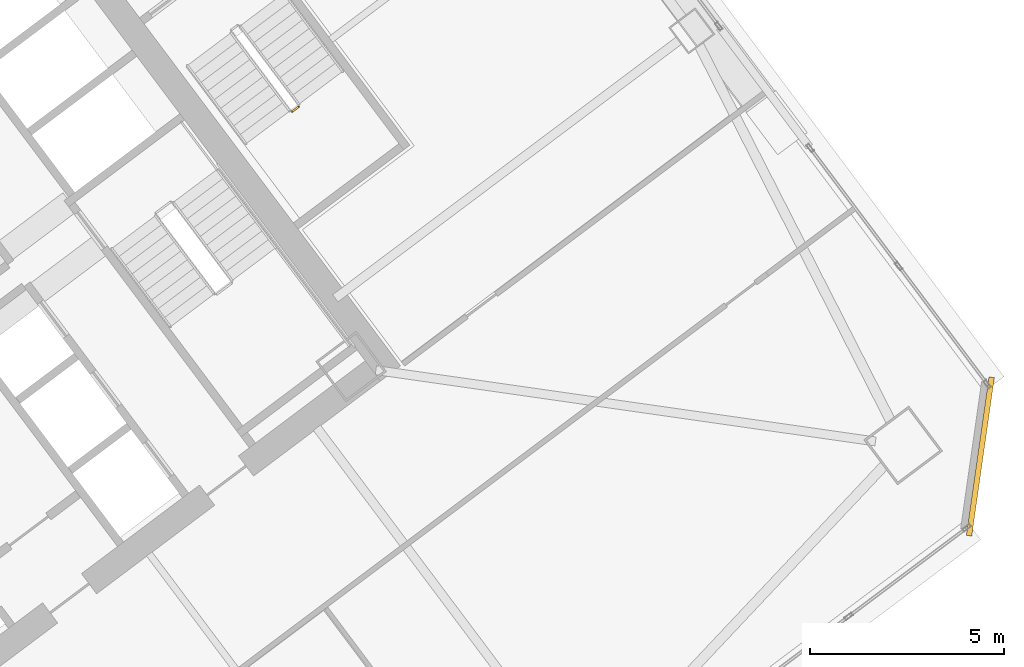
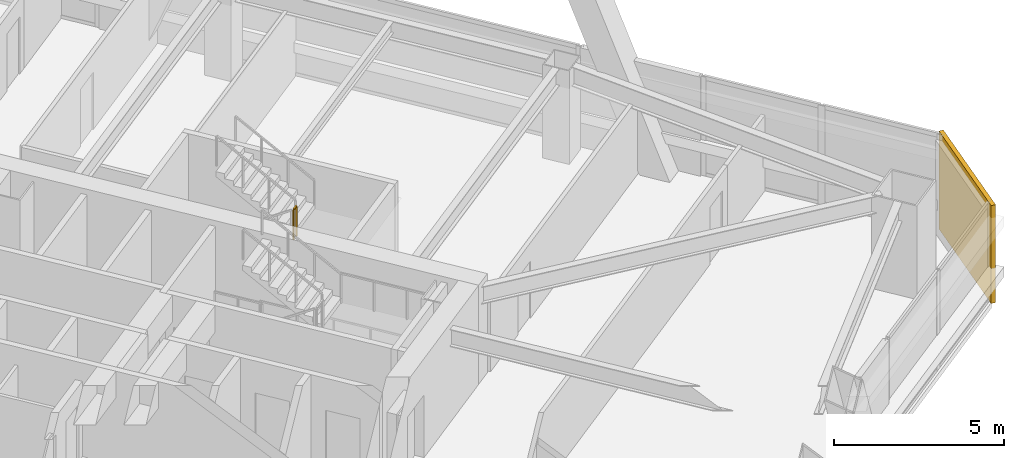
# One storey, part 52 of 54: 1 covering, 1 railing.
"""IFC4 building model written with IfcOpenShell, lengths in metres."""

from ifc_helpers import new_model, si_unit, direction, frame, origin, origin_2d, place, context, subcontext, project, spatial, rectangle, extrude, material, layer, layer_set, type_object, element, save


model = new_model("IFC4")

# Units and contexts
model_context = context("Model", 3, precision=1e-05, world=origin(), true_north=direction((0.0, 1.0)))
body_context = subcontext(model_context, "Body", "Model", "MODEL_VIEW")
ifc_project = project(units=[si_unit("LENGTHUNIT", "METRE"), si_unit("AREAUNIT", "SQUARE_METRE"), si_unit("VOLUMEUNIT", "CUBIC_METRE"), si_unit("PLANEANGLEUNIT", "RADIAN"), si_unit("MASSUNIT", "GRAM", prefix="KILO")], contexts=[model_context])

# Site, building, storey
site_placement = place(None, origin())
site = spatial("IfcSite", under=ifc_project, at=site_placement, CompositionType="ELEMENT")
building_placement = place(site_placement, origin())
building = spatial("IfcBuilding", under=site, at=building_placement, Name="Tashvorn Skyway Center", CompositionType="ELEMENT")
storey_placement = place(building_placement, frame((0.0, 0.0, 88.5)))
storey = spatial("IfcBuildingStorey", under=building, at=storey_placement, Name="L23", CompositionType="ELEMENT", Elevation=88.5)

# Covering
ifc_material_1 = material(Name="Precast concrete C40/50", Category="concrete")
ifc_layer = layer(ifc_material_1, 0.35009765625)
ifc_layer_set = layer_set([ifc_layer], Name="Precast concrete C40/50")
covering_type = type_object("IfcCoveringType", Name="COV-STONE-TRIM", PredefinedType="CLADDING", material=ifc_layer_set)
covering_placement = place(storey_placement, frame((140.068115234375, 28.27587890625, 0.02001953125), z_axis=(0.0, 0.0, 1.0), x_axis=(0.141421350118, 0.989949494535, 0.0)))
element("IfcCovering", 1, at=covering_placement, inside=storey, type_object=covering_type, Name="Tower 2 L23 SE Mojave Limestone Corner Quoin", PredefinedType="CLADDING", context=body_context, shape_type="SweptSolid", body=[
    extrude(rectangle(XDim=4.119873046875, YDim=0.139892578125, at=origin_2d()), origin(), (0.0, 0.0, 1.0), 3.510009765625),
])

# Railing
ifc_material_2 = material(Name="Painted galvanized steel S355", Category="steel")
railing_type = type_object("IfcRailingType", Name="RAIL-STGUARD-1100", PredefinedType="GUARDRAIL", material=ifc_material_2)
railing_placement = place(storey_placement, frame((122.35791015625, 37.156005859375, 1.77490234375)))
element("IfcRailing", 2, at=railing_placement, inside=storey, type_object=railing_type, Name="L23 ST-T2-3 stair guard 2", PredefinedType="GUARDRAIL", context=body_context, shape_type="SweptSolid", body=[
    extrude(rectangle(XDim=0.048095703125, YDim=0.048095703125, at=origin_2d()), frame((0.0, 0.0, 1.076171875), z_axis=(0.800585412921, 0.599218655098, 0.0), x_axis=(-0.599218655098, 0.800585412921, 0.0)), (0.0, 0.0, 1.0), 0.199951171875),
    extrude(rectangle(XDim=0.0419921875, YDim=0.0419921875, at=origin_2d()), origin(), (0.0, 0.0, 1.0), 1.052001953125),
    extrude(rectangle(XDim=0.0419921875, YDim=0.0419921875, at=origin_2d()), frame((0.16015625, 0.119873046875, 0.0)), (0.0, 0.0, 1.0), 1.052001953125),
])

save(model, "model.ifc")
